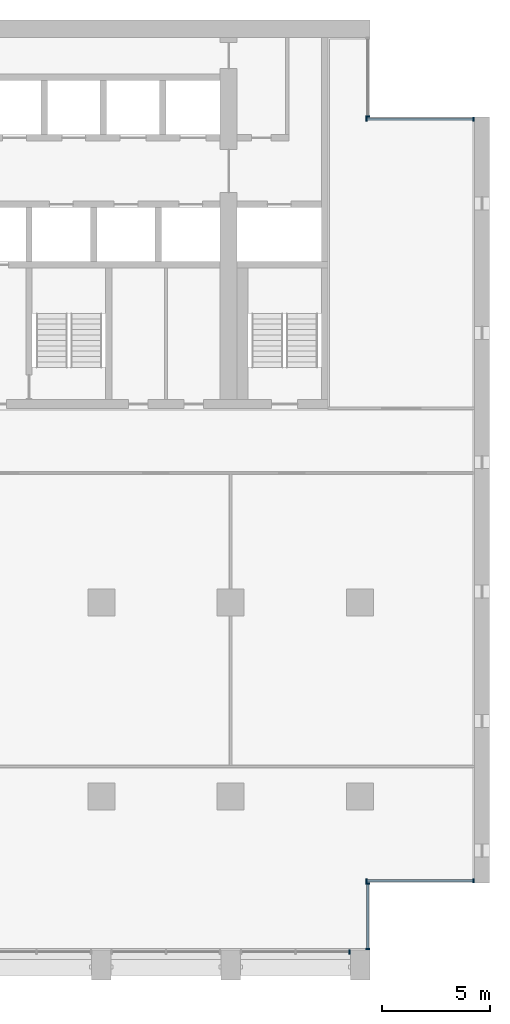
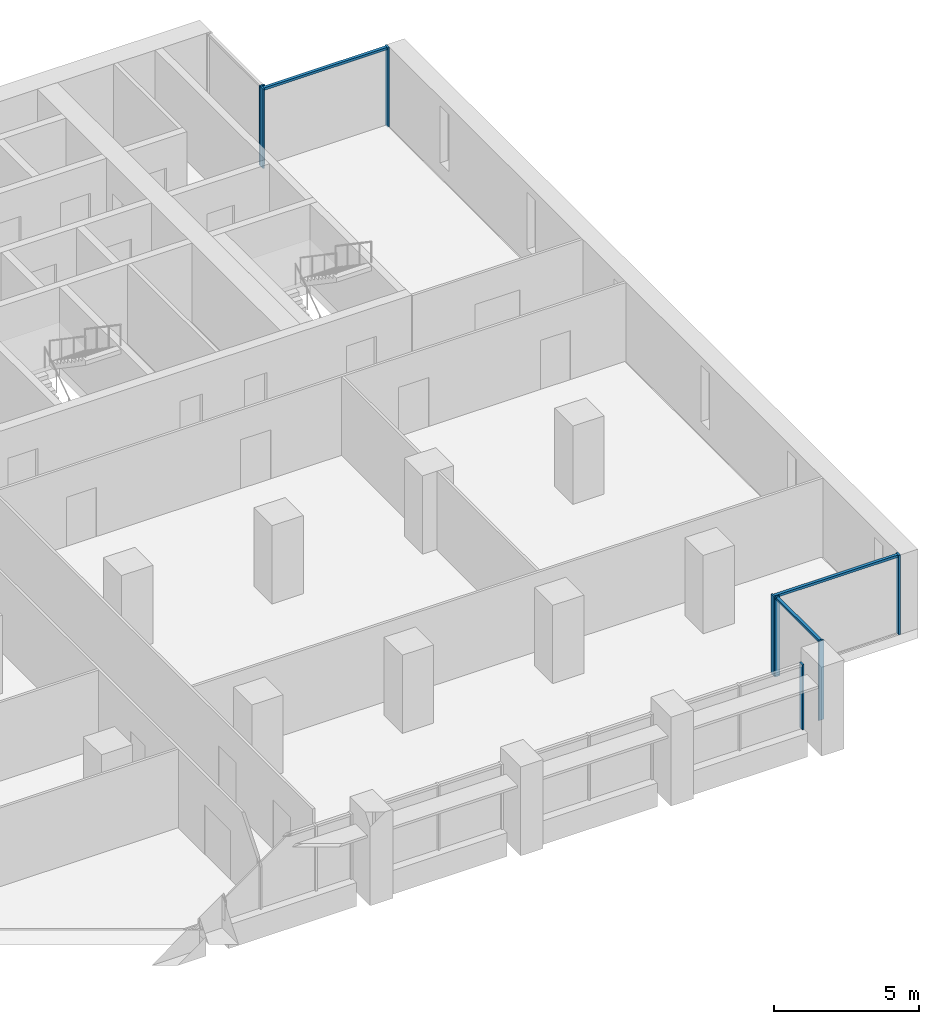
# One storey, part 5 of 15: 11 members, 5 elements without a shape of their own.
"""IFC4 building model written with IfcOpenShell, lengths in metres."""

from ifc_helpers import new_model, si_unit, direction, frame, origin, origin_2d, place, context, subcontext, project, spatial, rectangle, extrude, material, material_profile, profile_set, type_object, element, aggregate, save


model = new_model("IFC4")

# Units and contexts
model_context = context("Model", 3, precision=1e-05, world=origin(), true_north=direction((0.0, 1.0)))
body_context = subcontext(model_context, "Body", "Model", "MODEL_VIEW")
ifc_project = project(units=[si_unit("LENGTHUNIT", "METRE"), si_unit("AREAUNIT", "SQUARE_METRE"), si_unit("VOLUMEUNIT", "CUBIC_METRE"), si_unit("PLANEANGLEUNIT", "RADIAN"), si_unit("MASSUNIT", "GRAM", prefix="KILO")], contexts=[model_context])

# Site, building, storey
site_placement = place(None, origin())
site = spatial("IfcSite", under=ifc_project, at=site_placement, CompositionType="ELEMENT")
building_placement = place(site_placement, origin())
building = spatial("IfcBuilding", under=site, at=building_placement, Name="Calvaro Tower", CompositionType="ELEMENT")
storey_placement = place(building_placement, frame((0.0, 0.0, 143.75)))
storey = spatial("IfcBuildingStorey", under=building, at=storey_placement, Name="L36", CompositionType="ELEMENT", Elevation=143.75)

# Curtain wall, member
ifc_material_1 = material(Name="Anodised aluminium", Category="aluminium")
curtain_wall_type = type_object("IfcCurtainWallType", Name="Office curtain wall, middle zone", PredefinedType="NOTDEFINED", material=ifc_material_1)
curtain_wall_1_placement = place(storey_placement, origin())
curtain_wall_1 = element("IfcCurtainWall", 1, at=curtain_wall_1_placement, inside=storey, type_object=curtain_wall_type, Name="CW2 south curtain wall", PredefinedType="NOTDEFINED")
ifc_material_2 = material(Name="Anodised aluminium", Category="aluminium")
ifc_material_profile_1 = material_profile(ifc_material_2, rectangle(XDim=0.199951171875, YDim=0.070068359375, at=origin_2d()), Name="Mullion S2 70 x 200")
ifc_profile_set_1 = profile_set([ifc_material_profile_1], Name="Anodised aluminium")
member_type_1 = type_object("IfcMemberType", Name="Mullion S2 70 x 200", PredefinedType="MULLION", material=ifc_profile_set_1)
member_1_placement = place(storey_placement, frame((65.514892578125, 2.800048828125, 0.0), z_axis=(0.0, 0.0, 1.0), x_axis=(0.0, 1.0, 0.0)))
member_1 = element("IfcMember", 2, at=member_1_placement, type_object=member_type_1, Name="CW2 mullion 3", PredefinedType="MULLION", context=body_context, shape_type="SweptSolid", body=[
    extrude(rectangle(XDim=0.199951171875, YDim=0.070068359375, at=origin_2d()), origin(), (0.0, 0.0, 1.0), 2.75),
])
aggregate(curtain_wall_1, [member_1])

# Curtain wall, members
curtain_wall_2_placement = place(storey_placement, origin())
curtain_wall_2 = element("IfcCurtainWall", 3, at=curtain_wall_2_placement, inside=storey, type_object=curtain_wall_type, Name="CW2 corner curtain wall", PredefinedType="NOTDEFINED")
member_2_placement = place(storey_placement, frame((66.35009765625, 2.93505859375, 0.0), z_axis=(0.0, 0.0, 1.0), x_axis=(-1.0, 0.0, 0.0)))
member_2 = element("IfcMember", 4, at=member_2_placement, type_object=member_type_1, Name="CW2 mullion 1", PredefinedType="MULLION", context=body_context, shape_type="SweptSolid", body=[
    extrude(rectangle(XDim=0.199951171875, YDim=0.070068359375, at=origin_2d()), origin(), (0.0, 0.0, 1.0), 3.35009765625),
])
member_3_placement = place(storey_placement, frame((66.35009765625, 5.965087890625, 0.0), z_axis=(0.0, 0.0, 1.0), x_axis=(-1.0, 0.0, 0.0)))
member_3 = element("IfcMember", 5, at=member_3_placement, type_object=member_type_1, Name="CW2 mullion 2", PredefinedType="MULLION", context=body_context, shape_type="SweptSolid", body=[
    extrude(rectangle(XDim=0.199951171875, YDim=0.070068359375, at=origin_2d()), origin(), (0.0, 0.0, 1.0), 3.35009765625),
])

curtain_wall_3_placement = place(storey_placement, origin())
curtain_wall_3 = element("IfcCurtainWall", 6, at=curtain_wall_3_placement, inside=storey, type_object=curtain_wall_type, Name="CW2 corner curtain wall", PredefinedType="NOTDEFINED")
member_4_placement = place(storey_placement, frame((66.284912109375, 6.10009765625, 0.0), z_axis=(0.0, 0.0, 1.0), x_axis=(0.0, 1.0, 0.0)))
member_4 = element("IfcMember", 7, at=member_4_placement, type_object=member_type_1, Name="CW2 mullion 1", PredefinedType="MULLION", context=body_context, shape_type="SweptSolid", body=[
    extrude(rectangle(XDim=0.199951171875, YDim=0.070068359375, at=origin_2d()), origin(), (0.0, 0.0, 1.0), 3.35009765625),
])
member_5_placement = place(storey_placement, frame((71.264892578125, 6.10009765625, 0.0), z_axis=(0.0, 0.0, 1.0), x_axis=(0.0, 1.0, 0.0)))
member_5 = element("IfcMember", 8, at=member_5_placement, type_object=member_type_1, Name="CW2 mullion 2", PredefinedType="MULLION", context=body_context, shape_type="SweptSolid", body=[
    extrude(rectangle(XDim=0.199951171875, YDim=0.070068359375, at=origin_2d()), origin(), (0.0, 0.0, 1.0), 3.35009765625),
])

# Curtain wall, member
curtain_wall_4_placement = place(storey_placement, origin())
curtain_wall_4 = element("IfcCurtainWall", 9, at=curtain_wall_4_placement, inside=storey, type_object=curtain_wall_type, Name="CW2 corner curtain wall", PredefinedType="NOTDEFINED")
member_6_placement = place(storey_placement, frame((66.35009765625, 41.534912109375, 0.0), z_axis=(0.0, 0.0, 1.0), x_axis=(-1.0, 0.0, 0.0)))
member_6 = element("IfcMember", 10, at=member_6_placement, type_object=member_type_1, Name="CW2 mullion 1", PredefinedType="MULLION", context=body_context, shape_type="SweptSolid", body=[
    extrude(rectangle(XDim=0.199951171875, YDim=0.070068359375, at=origin_2d()), origin(), (0.0, 0.0, 1.0), 3.35009765625),
])
aggregate(curtain_wall_4, [member_6])

# Curtain wall, members
curtain_wall_5_placement = place(storey_placement, origin())
curtain_wall_5 = element("IfcCurtainWall", 11, at=curtain_wall_5_placement, inside=storey, type_object=curtain_wall_type, Name="CW2 corner curtain wall", PredefinedType="NOTDEFINED")
member_7_placement = place(storey_placement, frame((66.284912109375, 41.39990234375, 0.0), z_axis=(0.0, 0.0, 1.0), x_axis=(0.0, 1.0, 0.0)))
member_7 = element("IfcMember", 12, at=member_7_placement, type_object=member_type_1, Name="CW2 mullion 1", PredefinedType="MULLION", context=body_context, shape_type="SweptSolid", body=[
    extrude(rectangle(XDim=0.199951171875, YDim=0.070068359375, at=origin_2d()), origin(), (0.0, 0.0, 1.0), 3.35009765625),
])
member_8_placement = place(storey_placement, frame((71.264892578125, 41.39990234375, 0.0), z_axis=(0.0, 0.0, 1.0), x_axis=(0.0, 1.0, 0.0)))
member_8 = element("IfcMember", 13, at=member_8_placement, type_object=member_type_1, Name="CW2 mullion 2", PredefinedType="MULLION", context=body_context, shape_type="SweptSolid", body=[
    extrude(rectangle(XDim=0.199951171875, YDim=0.070068359375, at=origin_2d()), origin(), (0.0, 0.0, 1.0), 3.35009765625),
])

# Member
ifc_material_3 = material(Name="Anodised aluminium", Category="aluminium")
ifc_material_profile_2 = material_profile(ifc_material_3, rectangle(XDim=0.1201171875, YDim=0.10009765625, at=origin_2d()), Name="Transom S2 100 x 120")
ifc_profile_set_2 = profile_set([ifc_material_profile_2], Name="Anodised aluminium")
member_type_2 = type_object("IfcMemberType", Name="Transom S2 100 x 120", PredefinedType="USERDEFINED", material=ifc_profile_set_2)
member_9_placement = place(storey_placement, frame((66.35009765625, 2.969970703125, 3.300048828125), z_axis=(0.0, 1.0, 0.0), x_axis=(-1.0, 0.0, 0.0)))
member_9 = element("IfcMember", 14, at=member_9_placement, type_object=member_type_2, Name="CW2 transom 1.1", ObjectType="TRANSOM", PredefinedType="USERDEFINED", context=body_context, shape_type="SweptSolid", body=[
    extrude(rectangle(XDim=0.1201171875, YDim=0.10009765625, at=origin_2d()), origin(), (0.0, 0.0, 1.0), 2.9599609375),
])

aggregate(curtain_wall_2, [member_2, member_3, member_9])

member_10_placement = place(storey_placement, frame((66.320068359375, 6.10009765625, 3.300048828125), z_axis=(1.0, 0.0, 0.0), x_axis=(0.0, 1.0, 0.0)))
member_10 = element("IfcMember", 15, at=member_10_placement, type_object=member_type_2, Name="CW2 transom 1.1", ObjectType="TRANSOM", PredefinedType="USERDEFINED", context=body_context, shape_type="SweptSolid", body=[
    extrude(rectangle(XDim=0.1201171875, YDim=0.10009765625, at=origin_2d()), origin(), (0.0, 0.0, 1.0), 4.909912109375),
])

aggregate(curtain_wall_3, [member_4, member_5, member_10])

member_11_placement = place(storey_placement, frame((66.320068359375, 41.39990234375, 3.300048828125), z_axis=(1.0, 0.0, 0.0), x_axis=(0.0, 1.0, 0.0)))
member_11 = element("IfcMember", 16, at=member_11_placement, type_object=member_type_2, Name="CW2 transom 1.1", ObjectType="TRANSOM", PredefinedType="USERDEFINED", context=body_context, shape_type="SweptSolid", body=[
    extrude(rectangle(XDim=0.1201171875, YDim=0.10009765625, at=origin_2d()), origin(), (0.0, 0.0, 1.0), 4.909912109375),
])

aggregate(curtain_wall_5, [member_7, member_8, member_11])

save(model, "model.ifc")
